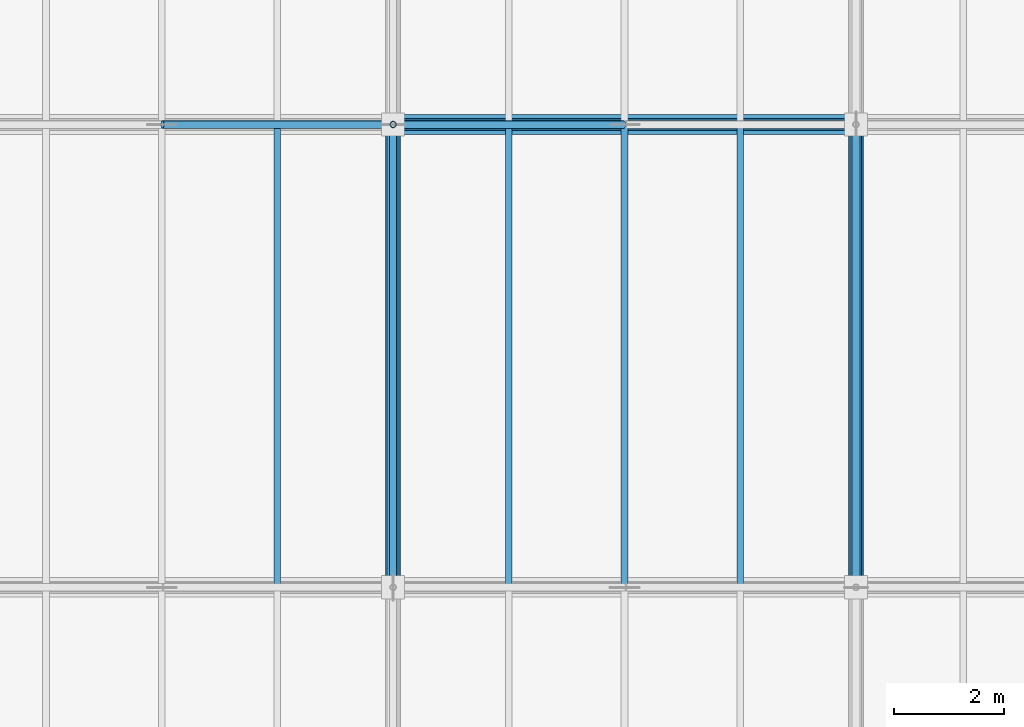
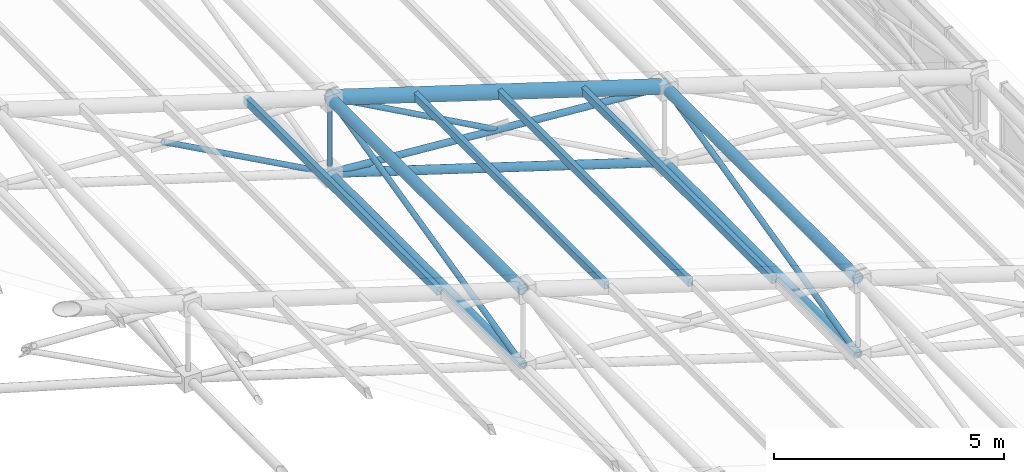
# One storey, part 91 of 144: 16 members.
"""IFC4 building model written with IfcOpenShell, lengths in metres."""

from ifc_helpers import new_model, si_unit, direction, frame, origin, origin_2d, place, context, subcontext, project, spatial, hollow_rectangle, hollow_circle, extrude, material, material_profile, profile_set, type_object, element, save


model = new_model("IFC4")

# Units and contexts
model_context = context("Model", 3, precision=1e-05, world=origin(), true_north=direction((0.0, 1.0)))
body_context = subcontext(model_context, "Body", "Model", "MODEL_VIEW")
ifc_project = project(units=[si_unit("LENGTHUNIT", "METRE"), si_unit("AREAUNIT", "SQUARE_METRE"), si_unit("VOLUMEUNIT", "CUBIC_METRE"), si_unit("PLANEANGLEUNIT", "RADIAN"), si_unit("MASSUNIT", "GRAM", prefix="KILO")], contexts=[model_context])

# Site, building, storey
site_placement = place(None, origin())
site = spatial("IfcSite", under=ifc_project, at=site_placement, CompositionType="ELEMENT")
building_placement = place(site_placement, origin())
building = spatial("IfcBuilding", under=site, at=building_placement, Name="Zayran Congress Hotel", CompositionType="ELEMENT")
storey_placement = place(building_placement, frame((0.0, 0.0, 19.199951171875)))
storey = spatial("IfcBuildingStorey", under=building, at=storey_placement, Name="L04", CompositionType="ELEMENT", Elevation=19.199951171875)

# Members
ifc_material = material(Name="Steel S355", Category="steel")
ifc_material_profile_1 = material_profile(ifc_material, hollow_circle(Radius=0.177734375, WallThickness=0.01611328125, at=origin_2d()), Name="CHS 355.6x16")
ifc_profile_set_1 = profile_set([ifc_material_profile_1], Name="Steel S355")
member_type_1 = type_object("IfcMemberType", Name="TP-SF-TC1", PredefinedType="CHORD", material=ifc_profile_set_1)
member_1_placement = place(storey_placement, frame((75.60009765625, 101.199951171875, 7.302001953125), z_axis=(0.953670596398, 0.0, -0.300852777228), x_axis=(0.0, 1.0, 0.0)))
element("IfcMember", 1, at=member_1_placement, inside=storey, type_object=member_type_1, Name="Space Frame Top Chord X 469", PredefinedType="CHORD", context=body_context, shape_type="SweptSolid", body=[
    extrude(hollow_circle(Radius=0.177734375, WallThickness=0.01611328125, at=origin_2d()), origin(), (0.0, 0.0, 1.0), 8.807861328125),
])
ifc_material_profile_2 = material_profile(ifc_material, hollow_circle(Radius=0.136474609375, WallThickness=0.012451171875, at=origin_2d()), Name="CHS 273x12.5")
ifc_profile_set_2 = profile_set([ifc_material_profile_2], Name="Steel S355")
member_type_2 = type_object("IfcMemberType", Name="TP-SF-TC2", PredefinedType="CHORD", material=ifc_profile_set_2)
for number, where, z_axis, x_axis, name in (
    (2, (75.60009765625, 92.800048828125, 7.302001953125), (0.0, 1.0, 0.0), (-1.0, 0.0, 0.0), "Space Frame Top Chord Y 465"),
    (3, (84.0, 92.800048828125, 4.652099609375), (0.0, 1.0, 0.0), (-1.0, 0.0, 0.0), "Space Frame Top Chord Y 518"),
):
    element("IfcMember", number, at=place(storey_placement, frame(where, z_axis=z_axis, x_axis=x_axis)), inside=storey, type_object=member_type_2, Name=name, PredefinedType="CHORD", context=body_context, shape_type="SweptSolid", body=[
        extrude(hollow_circle(Radius=0.136474609375, WallThickness=0.012451171875, at=origin_2d()), origin(), (0.0, 0.0, 1.0), 8.39990234375),
    ])
ifc_material_profile_3 = material_profile(ifc_material, hollow_circle(Radius=0.109619140625, WallThickness=0.010009765625, at=origin_2d()), Name="CHS 219.1x10")
ifc_profile_set_3 = profile_set([ifc_material_profile_3], Name="Steel S355")
member_type_3 = type_object("IfcMemberType", Name="TP-SF-BC1", PredefinedType="CHORD", material=ifc_profile_set_3)
member_2_placement = place(storey_placement, frame((75.60009765625, 92.800048828125, 5.300048828125), z_axis=(0.0, 1.0, 0.0), x_axis=(-1.0, 0.0, 0.0)))
element("IfcMember", 4, at=member_2_placement, inside=storey, type_object=member_type_3, Name="Space Frame Bottom Chord Y 466", PredefinedType="CHORD", context=body_context, shape_type="SweptSolid", body=[
    extrude(hollow_circle(Radius=0.109619140625, WallThickness=0.010009765625, at=origin_2d()), origin(), (0.0, 0.0, 1.0), 8.39990234375),
])
member_3_placement = place(storey_placement, frame((75.60009765625, 101.199951171875, 5.300048828125), z_axis=(0.953670596398, 0.0, -0.300852777228), x_axis=(0.0, 1.0, 0.0)))
element("IfcMember", 5, at=member_3_placement, inside=storey, type_object=member_type_3, Name="Space Frame Bottom Chord X 470", PredefinedType="CHORD", context=body_context, shape_type="SweptSolid", body=[
    extrude(hollow_circle(Radius=0.109619140625, WallThickness=0.010009765625, at=origin_2d()), origin(), (0.0, 0.0, 1.0), 8.807861328125),
])
member_4_placement = place(storey_placement, frame((84.0, 92.800048828125, 2.650146484375), z_axis=(0.0, 1.0, 0.0), x_axis=(-1.0, 0.0, 0.0)))
element("IfcMember", 6, at=member_4_placement, inside=storey, type_object=member_type_3, Name="Space Frame Bottom Chord Y 519", PredefinedType="CHORD", context=body_context, shape_type="SweptSolid", body=[
    extrude(hollow_circle(Radius=0.109619140625, WallThickness=0.010009765625, at=origin_2d()), origin(), (0.0, 0.0, 1.0), 8.39990234375),
])
ifc_material_profile_4 = material_profile(ifc_material, hollow_circle(Radius=0.084228515625, WallThickness=0.008056640625, at=origin_2d()), Name="CHS 168.3x8")
ifc_profile_set_4 = profile_set([ifc_material_profile_4], Name="Steel S355")
member_type_4 = type_object("IfcMemberType", Name="TP-SF-DG1", PredefinedType="BRACE", material=ifc_profile_set_4)
member_5_placement = place(storey_placement, frame((75.60009765625, 101.199951171875, 5.300048828125), z_axis=(0.997038098414, 0.0, -0.076909234238), x_axis=(0.0, 1.0, 0.0)))
element("IfcMember", 7, at=member_5_placement, inside=storey, type_object=member_type_4, Name="Space Frame Web Diagonal X 471", PredefinedType="BRACE", context=body_context, shape_type="SweptSolid", body=[
    extrude(hollow_circle(Radius=0.084228515625, WallThickness=0.008056640625, at=origin_2d()), origin(), (0.0, 0.0, 1.0), 8.4248046875),
])
ifc_material_profile_5 = material_profile(ifc_material, hollow_circle(Radius=0.06982421875, WallThickness=0.00634765625, at=origin_2d()), Name="CHS 139.7x6.3")
ifc_profile_set_5 = profile_set([ifc_material_profile_5], Name="Steel S355")
member_type_5 = type_object("IfcMemberType", Name="TP-SF-DG2", PredefinedType="BRACE", material=ifc_profile_set_5)
member_6_placement = place(storey_placement, frame((71.4130859375, 101.199951171875, 7.59375), z_axis=(0.877024445647, 0.0, -0.480445753169), x_axis=(0.0, 1.0, 0.0)))
element("IfcMember", 8, at=member_6_placement, inside=storey, type_object=member_type_5, Name="Space Frame Counter Diagonal X Lower 66", PredefinedType="BRACE", context=body_context, shape_type="SweptSolid", body=[
    extrude(hollow_circle(Radius=0.06982421875, WallThickness=0.00634765625, at=origin_2d()), origin(), (0.0, 0.0, 1.0), 4.774169921875),
])
member_7_placement = place(storey_placement, frame((75.60009765625, 92.800048828125, 5.300048828125), z_axis=(0.0, 0.97275461998, 0.231837118056), x_axis=(-1.0, 0.0, 0.0)))
element("IfcMember", 9, at=member_7_placement, inside=storey, type_object=member_type_5, Name="Space Frame Web Diagonal Y 467", PredefinedType="BRACE", context=body_context, shape_type="SweptSolid", body=[
    extrude(hollow_circle(Radius=0.06982421875, WallThickness=0.00634765625, at=origin_2d()), origin(), (0.0, 0.0, 1.0), 8.63525390625),
])
member_8_placement = place(storey_placement, frame((75.60009765625, 101.199951171875, 7.302001953125), z_axis=(0.874810980482, 0.0, -0.484464393355), x_axis=(0.0, 1.0, 0.0)))
element("IfcMember", 10, at=member_8_placement, inside=storey, type_object=member_type_5, Name="Space Frame Counter Diagonal X Upper 472", PredefinedType="BRACE", context=body_context, shape_type="SweptSolid", body=[
    extrude(hollow_circle(Radius=0.06982421875, WallThickness=0.00634765625, at=origin_2d()), origin(), (0.0, 0.0, 1.0), 4.785888671875),
])
member_9_placement = place(storey_placement, frame((84.0, 92.800048828125, 2.650146484375), z_axis=(0.0, 0.97275461998, 0.231837118056), x_axis=(-1.0, 0.0, 0.0)))
element("IfcMember", 11, at=member_9_placement, inside=storey, type_object=member_type_5, Name="Space Frame Web Diagonal Y 520", PredefinedType="BRACE", context=body_context, shape_type="SweptSolid", body=[
    extrude(hollow_circle(Radius=0.06982421875, WallThickness=0.00634765625, at=origin_2d()), origin(), (0.0, 0.0, 1.0), 8.63525390625),
])
ifc_material_profile_6 = material_profile(ifc_material, hollow_circle(Radius=0.05712890625, WallThickness=0.00634765625, at=origin_2d()), Name="CHS 114.3x6.3")
ifc_profile_set_6 = profile_set([ifc_material_profile_6], Name="Steel S355")
member_type_6 = type_object("IfcMemberType", Name="TP-SF-DG3", PredefinedType="BRACE", material=ifc_profile_set_6)
member_10_placement = place(storey_placement, frame((75.60009765625, 101.199951171875, 5.300048828125), z_axis=(0.0, 0.0, 1.0), x_axis=(0.0, 1.0, 0.0)))
element("IfcMember", 12, at=member_10_placement, inside=storey, type_object=member_type_6, Name="Space Frame Web Strut 476", PredefinedType="BRACE", context=body_context, shape_type="SweptSolid", body=[
    extrude(hollow_circle(Radius=0.05712890625, WallThickness=0.00634765625, at=origin_2d()), origin(), (0.0, 0.0, 1.0), 2.001953125),
])
ifc_material_profile_7 = material_profile(ifc_material, hollow_rectangle(XDim=0.1201171875, YDim=0.199951171875, WallThickness=0.008056640625, at=origin_2d()), Name="RHS 200x120x8")
ifc_profile_set_7 = profile_set([ifc_material_profile_7], Name="Steel S355")
member_type_7 = type_object("IfcMemberType", Name="TP-PR-01", PredefinedType="PURLIN", material=ifc_profile_set_7)
for number, where, z_axis, x_axis, name in (
    (13, (73.5, 92.800048828125, 7.994140625), (0.0, 1.0, 0.0), (-1.0, 0.0, 0.0), "MEM-PR-V1-0142"),
    (14, (77.699951171875, 92.800048828125, 6.681640625), (0.0, 1.0, 0.0), (-1.0, 0.0, 0.0), "MEM-PR-V1-0148"),
    (15, (79.800048828125, 92.800048828125, 6.01904296875), (0.0, 1.0, 0.0), (-1.0, 0.0, 0.0), "MEM-PR-V1-0154"),
    (16, (81.89990234375, 92.800048828125, 5.3564453125), (0.0, 1.0, 0.0), (-1.0, 0.0, 0.0), "MEM-PR-V1-0160"),
):
    element("IfcMember", number, at=place(storey_placement, frame(where, z_axis=z_axis, x_axis=x_axis)), inside=storey, type_object=member_type_7, Name=name, PredefinedType="PURLIN", context=body_context, shape_type="SweptSolid", body=[
        extrude(hollow_rectangle(XDim=0.1201171875, YDim=0.199951171875, WallThickness=0.008056640625, at=origin_2d()), origin(), (0.0, 0.0, 1.0), 8.39990234375),
    ])

save(model, "model.ifc")
